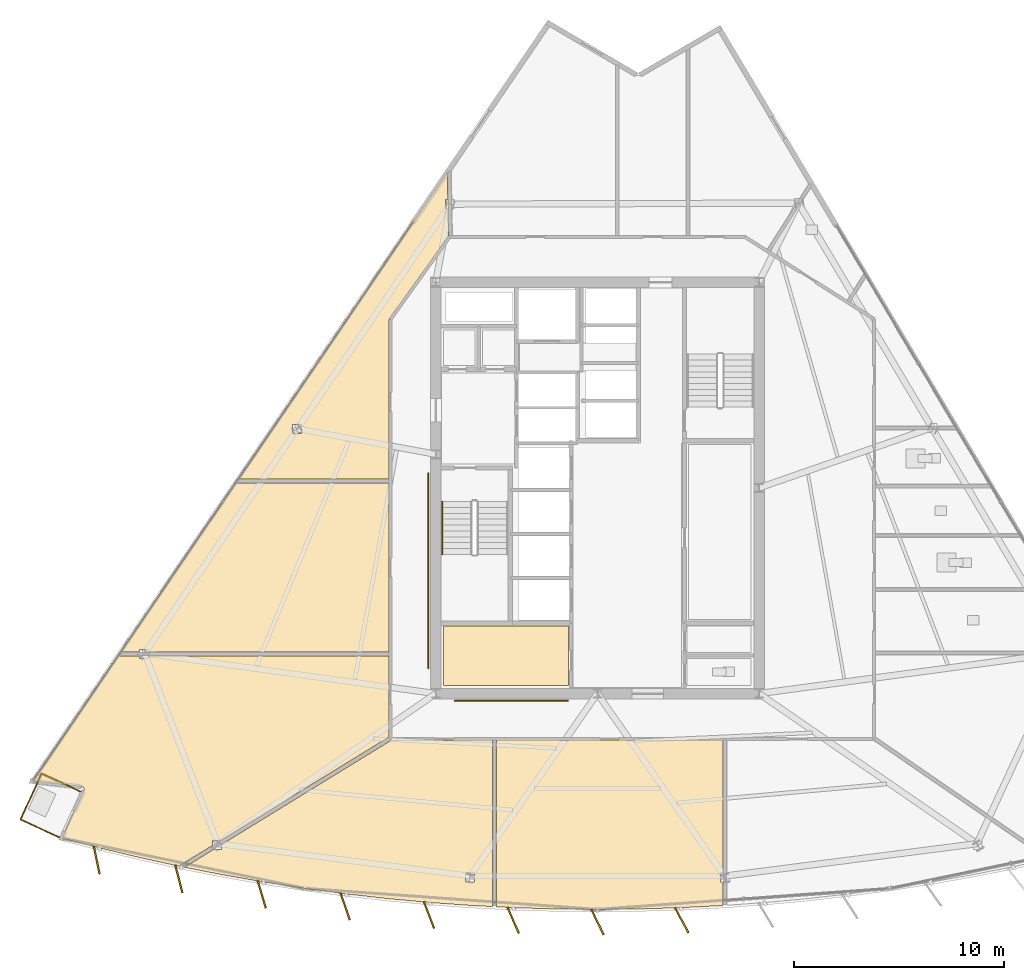
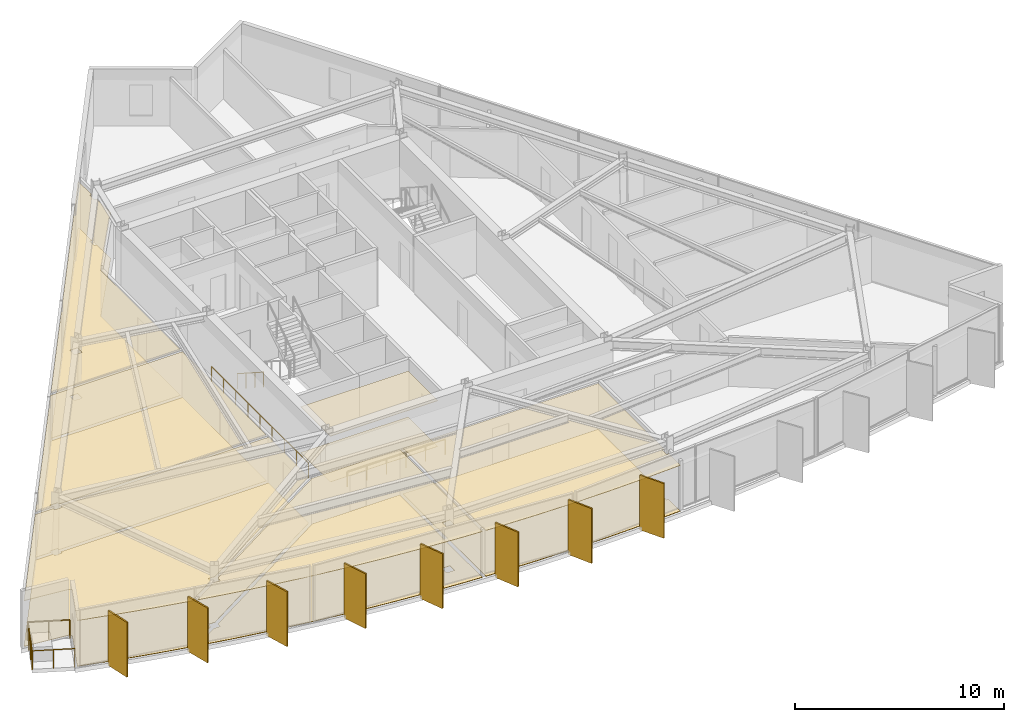
# One storey, part 11 of 15: 12 coverings, 8 shading devices, 6 railings.
"""IFC4 building model written with IfcOpenShell, lengths in metres."""

from ifc_helpers import new_model, si_unit, direction, frame, origin, origin_2d, place, context, subcontext, project, spatial, polyline, rectangle, circle, outline, extrude, material, layer, layer_set, type_object, element, save


model = new_model("IFC4")

# Units and contexts
model_context = context("Model", 3, precision=1e-05, world=origin(), true_north=direction((0.0, 1.0)))
body_context = subcontext(model_context, "Body", "Model", "MODEL_VIEW")
ifc_project = project(units=[si_unit("LENGTHUNIT", "METRE"), si_unit("AREAUNIT", "SQUARE_METRE"), si_unit("VOLUMEUNIT", "CUBIC_METRE"), si_unit("PLANEANGLEUNIT", "RADIAN"), si_unit("MASSUNIT", "GRAM", prefix="KILO")], contexts=[model_context])

# Site, building, storey
site_placement = place(None, origin())
site = spatial("IfcSite", under=ifc_project, at=site_placement, CompositionType="ELEMENT")
building_placement = place(site_placement, origin())
building = spatial("IfcBuilding", under=site, at=building_placement, Name="Savorim Split Tower", CompositionType="ELEMENT")
storey_placement = place(building_placement, frame((0.0, 0.0, 138.60009765625)))
storey = spatial("IfcBuildingStorey", under=building, at=storey_placement, Name="L36", CompositionType="ELEMENT", Elevation=138.60009765625)

# Coverings
ifc_material_1 = material(Name="Mineral Fibre Acoustic Ceiling")
ifc_layer_1 = layer(ifc_material_1, 0.02490234375)
ifc_layer_set_1 = layer_set([ifc_layer_1], Name="COV-CEIL-25")
covering_type_1 = type_object("IfcCoveringType", Name="COV-CEIL-25", PredefinedType="CEILING", material=ifc_layer_set_1)
covering_1_placement = place(storey_placement, frame((0.0, 0.0, 2.669921875)))
element("IfcCovering", 1, at=covering_1_placement, inside=storey, type_object=covering_type_1, Name="L36 Housekeeping Store Acoustic Ceiling", PredefinedType="CEILING", context=body_context, shape_type="SweptSolid", body=[
    extrude(outline(polyline([(-7.320068359375, -6.179931640625), (-7.320068359375, -9.02001953125), (-1.3798828125, -9.02001953125), (-1.3798828125, -6.179931640625), (-7.320068359375, -6.179931640625)])), origin(), (0.0, 0.0, 1.0), 0.02490234375),
])
covering_2_placement = place(storey_placement, frame((0.0, 0.0, 2.669921875)))
element("IfcCovering", 2, at=covering_2_placement, inside=storey, type_object=covering_type_1, Name="L36 Co-Working Commons Acoustic Ceiling", PredefinedType="CEILING", context=body_context, shape_type="SweptSolid", body=[
    extrude(outline(polyline([(-21.4013671875, -7.30712890625), (-21.4013671875, -7.425537109375), (-9.919921875, -7.425537109375), (-9.919921875, 0.626220703125), (-17.22314453125, 0.626220703125), (-22.70068359375, -7.425537109375), (-21.8251953125, -7.425537109375), (-21.8251953125, -7.30712890625), (-21.4013671875, -7.30712890625)])), origin(), (0.0, 0.0, 1.0), 0.02490234375),
])
covering_3_placement = place(storey_placement, frame((0.0, 0.0, 2.669921875)))
element("IfcCovering", 3, at=covering_3_placement, inside=storey, type_object=covering_type_1, Name="L36 Maker Workshop Acoustic Ceiling", PredefinedType="CEILING", context=body_context, shape_type="SweptSolid", body=[
    extrude(outline(polyline([(-24.447265625, -13.9619140625), (-24.447998046875, -13.973876953125), (-24.4501953125, -13.985595703125), (-24.45361328125, -13.9970703125), (-24.4580078125, -14.00830078125), (-25.5048828125, -16.28662109375), (-23.711181640625, -16.755615234375), (-21.770263671875, -17.220947265625), (-19.8359375, -17.64306640625), (-19.875244140625, -17.5791015625), (-18.331787109375, -16.630615234375), (-18.331787109375, -16.398193359375), (-17.953857421875, -16.398193359375), (-9.94580078125, -11.476806640625), (-9.919921875, -11.460693359375), (-9.919921875, -7.615478515625), (-21.4013671875, -7.615478515625), (-21.4013671875, -7.734130859375), (-21.8251953125, -7.734130859375), (-21.8251953125, -7.615478515625), (-22.704833984375, -7.615478515625), (-22.7998046875, -7.615478515625), (-22.7998046875, -7.5712890625), (-26.88623046875, -13.578369140625), (-24.5537109375, -13.8388671875), (-24.5419921875, -13.8408203125), (-24.530517578125, -13.84375), (-24.519287109375, -13.847900390625), (-24.508544921875, -13.853271484375), (-24.49853515625, -13.859619140625), (-24.489013671875, -13.866943359375), (-24.48046875, -13.875244140625), (-24.47265625, -13.88427734375), (-24.4658203125, -13.893798828125), (-24.459716796875, -13.904296875), (-24.455078125, -13.915283203125), (-24.451416015625, -13.926513671875), (-24.44873046875, -13.938232421875), (-24.447509765625, -13.9501953125), (-24.447265625, -13.9619140625)])), origin(), (0.0, 0.0, 1.0), 0.02490234375),
])
covering_4_placement = place(storey_placement, frame((0.0, 0.0, 2.669921875)))
element("IfcCovering", 4, at=covering_4_placement, inside=storey, type_object=covering_type_1, Name="L36 Co-Working Commons Acoustic Ceiling", PredefinedType="CEILING", context=body_context, shape_type="SweptSolid", body=[
    extrude(outline(polyline([(-9.962158203125, -19.17138671875), (-7.974853515625, -19.35498046875), (-5.98388671875, -19.497802734375), (-4.99755859375, -19.54833984375), (-4.99755859375, -11.6201171875), (-9.780029296875, -11.6201171875), (-9.793701171875, -11.619384765625), (-9.807373046875, -11.6171875), (-9.810546875, -11.616455078125), (-17.90771484375, -16.593017578125), (-17.90771484375, -16.8251953125), (-18.28564453125, -16.8251953125), (-19.669921875, -17.676025390625), (-17.86181640625, -18.031982421875), (-15.89599609375, -18.37744140625), (-13.923828125, -18.6826171875), (-11.945556640625, -18.947265625), (-9.962158203125, -19.17138671875)]), holes=[polyline([(-6.284912109375, -18.3720703125), (-5.86083984375, -18.3720703125), (-5.86083984375, -17.945068359375), (-6.284912109375, -17.945068359375), (-6.284912109375, -18.3720703125)])]), origin(), (0.0, 0.0, 1.0), 0.02490234375),
])
covering_5_placement = place(storey_placement, frame((0.0, 0.0, 2.669921875)))
element("IfcCovering", 5, at=covering_5_placement, inside=storey, type_object=covering_type_1, Name="L36 Maker Workshop Acoustic Ceiling", PredefinedType="CEILING", context=body_context, shape_type="SweptSolid", body=[
    extrude(outline(polyline([(-1.99560546875, -19.6611328125), (0.0, -19.681640625), (1.99560546875, -19.6611328125), (3.99072265625, -19.599853515625), (5.977783203125, -19.498046875), (5.977783203125, -18.3720703125), (5.86083984375, -18.3720703125), (5.86083984375, -17.945068359375), (5.977783203125, -17.945068359375), (5.977783203125, -11.6201171875), (-4.8076171875, -11.6201171875), (-4.8076171875, -19.55810546875), (-3.99072265625, -19.599853515625), (-1.99560546875, -19.6611328125)])), origin(), (0.0, 0.0, 1.0), 0.02490234375),
])
covering_6_placement = place(storey_placement, frame((0.0, 0.0, 2.669921875)))
element("IfcCovering", 6, at=covering_6_placement, inside=storey, type_object=covering_type_1, Name="L36 Maker Workshop Acoustic Ceiling", PredefinedType="CEILING", context=body_context, shape_type="SweptSolid", body=[
    extrude(outline(polyline([(-7.105712890625, 12.3720703125), (-7.096435546875, 12.381591796875), (-7.094482421875, 12.38330078125), (-7.1171875, 13.708984375), (-7.238037109375, 13.708984375), (-7.238037109375, 14.135986328125), (-7.124755859375, 14.135986328125), (-7.147216796875, 15.437744140625), (-17.093994140625, 0.816162109375), (-9.919921875, 0.816162109375), (-9.919921875, 8.39990234375), (-9.919189453125, 8.41455078125), (-9.9169921875, 8.4287109375), (-9.913330078125, 8.44287109375), (-9.908203125, 8.456298828125), (-9.901611328125, 8.46923828125), (-9.893798828125, 8.4814453125), (-7.11376953125, 12.361572265625), (-7.105712890625, 12.3720703125)]), holes=[polyline([(-14.531494140625, 3.414306640625), (-14.531494140625, 2.9873046875), (-14.107666015625, 2.9873046875), (-14.107666015625, 3.414306640625), (-14.531494140625, 3.414306640625)])]), origin(), (0.0, 0.0, 1.0), 0.02490234375),
])
ifc_material_2 = material(Name="Porcelain Stoneware Flooring", Category="masonry")
ifc_layer_2 = layer(ifc_material_2, 0.02001953125)
ifc_layer_set_2 = layer_set([ifc_layer_2], Name="COV-FLOR-20")
covering_type_2 = type_object("IfcCoveringType", Name="COV-FLOR-20", PredefinedType="FLOORING", material=ifc_layer_set_2)
covering_7_placement = place(storey_placement, origin())
element("IfcCovering", 7, at=covering_7_placement, inside=storey, type_object=covering_type_2, Name="L36 Housekeeping Store Porcelain Flooring", PredefinedType="FLOORING", context=body_context, shape_type="SweptSolid", body=[
    extrude(outline(polyline([(-7.320068359375, -6.179931640625), (-7.320068359375, -9.02001953125), (-1.3798828125, -9.02001953125), (-1.3798828125, -6.179931640625), (-7.320068359375, -6.179931640625)])), origin(), (0.0, 0.0, 1.0), 0.02001953125),
])
covering_8_placement = place(storey_placement, origin())
element("IfcCovering", 8, at=covering_8_placement, inside=storey, type_object=covering_type_2, Name="L36 Co-Working Commons Porcelain Flooring", PredefinedType="FLOORING", context=body_context, shape_type="SweptSolid", body=[
    extrude(outline(polyline([(-21.4013671875, -7.30712890625), (-21.4013671875, -7.425537109375), (-9.919921875, -7.425537109375), (-9.919921875, 0.626220703125), (-17.22314453125, 0.626220703125), (-22.70068359375, -7.425537109375), (-21.8251953125, -7.425537109375), (-21.8251953125, -7.30712890625), (-21.4013671875, -7.30712890625)])), origin(), (0.0, 0.0, 1.0), 0.02001953125),
])
covering_9_placement = place(storey_placement, origin())
element("IfcCovering", 9, at=covering_9_placement, inside=storey, type_object=covering_type_2, Name="L36 Maker Workshop Porcelain Flooring", PredefinedType="FLOORING", context=body_context, shape_type="SweptSolid", body=[
    extrude(outline(polyline([(-24.447265625, -13.9619140625), (-24.447998046875, -13.973876953125), (-24.4501953125, -13.985595703125), (-24.45361328125, -13.9970703125), (-24.4580078125, -14.00830078125), (-25.5048828125, -16.28662109375), (-23.711181640625, -16.755615234375), (-21.770263671875, -17.220947265625), (-19.8359375, -17.64306640625), (-19.875244140625, -17.5791015625), (-18.331787109375, -16.630615234375), (-18.331787109375, -16.398193359375), (-17.953857421875, -16.398193359375), (-9.94580078125, -11.476806640625), (-9.919921875, -11.460693359375), (-9.919921875, -7.615478515625), (-21.4013671875, -7.615478515625), (-21.4013671875, -7.734130859375), (-21.8251953125, -7.734130859375), (-21.8251953125, -7.615478515625), (-22.704833984375, -7.615478515625), (-22.7998046875, -7.615478515625), (-22.7998046875, -7.5712890625), (-26.88623046875, -13.578369140625), (-24.5537109375, -13.8388671875), (-24.5419921875, -13.8408203125), (-24.530517578125, -13.84375), (-24.519287109375, -13.847900390625), (-24.508544921875, -13.853271484375), (-24.49853515625, -13.859619140625), (-24.489013671875, -13.866943359375), (-24.48046875, -13.875244140625), (-24.47265625, -13.88427734375), (-24.4658203125, -13.893798828125), (-24.459716796875, -13.904296875), (-24.455078125, -13.915283203125), (-24.451416015625, -13.926513671875), (-24.44873046875, -13.938232421875), (-24.447509765625, -13.9501953125), (-24.447265625, -13.9619140625)])), origin(), (0.0, 0.0, 1.0), 0.02001953125),
])
covering_10_placement = place(storey_placement, origin())
element("IfcCovering", 10, at=covering_10_placement, inside=storey, type_object=covering_type_2, Name="L36 Co-Working Commons Porcelain Flooring", PredefinedType="FLOORING", context=body_context, shape_type="SweptSolid", body=[
    extrude(outline(polyline([(-9.962158203125, -19.17138671875), (-7.974853515625, -19.35498046875), (-5.98388671875, -19.497802734375), (-4.99755859375, -19.54833984375), (-4.99755859375, -11.6201171875), (-9.780029296875, -11.6201171875), (-9.793701171875, -11.619384765625), (-9.807373046875, -11.6171875), (-9.810546875, -11.616455078125), (-17.90771484375, -16.593017578125), (-17.90771484375, -16.8251953125), (-18.28564453125, -16.8251953125), (-19.669921875, -17.676025390625), (-17.86181640625, -18.031982421875), (-15.89599609375, -18.37744140625), (-13.923828125, -18.6826171875), (-11.945556640625, -18.947265625), (-9.962158203125, -19.17138671875)]), holes=[polyline([(-6.284912109375, -18.3720703125), (-5.86083984375, -18.3720703125), (-5.86083984375, -17.945068359375), (-6.284912109375, -17.945068359375), (-6.284912109375, -18.3720703125)])]), origin(), (0.0, 0.0, 1.0), 0.02001953125),
])
covering_11_placement = place(storey_placement, origin())
element("IfcCovering", 11, at=covering_11_placement, inside=storey, type_object=covering_type_2, Name="L36 Maker Workshop Porcelain Flooring", PredefinedType="FLOORING", context=body_context, shape_type="SweptSolid", body=[
    extrude(outline(polyline([(-1.99560546875, -19.6611328125), (0.0, -19.681640625), (1.99560546875, -19.6611328125), (3.99072265625, -19.599853515625), (5.977783203125, -19.498046875), (5.977783203125, -18.3720703125), (5.86083984375, -18.3720703125), (5.86083984375, -17.945068359375), (5.977783203125, -17.945068359375), (5.977783203125, -11.6201171875), (-4.8076171875, -11.6201171875), (-4.8076171875, -19.55810546875), (-3.99072265625, -19.599853515625), (-1.99560546875, -19.6611328125)])), origin(), (0.0, 0.0, 1.0), 0.02001953125),
])
covering_12_placement = place(storey_placement, origin())
element("IfcCovering", 12, at=covering_12_placement, inside=storey, type_object=covering_type_2, Name="L36 Maker Workshop Porcelain Flooring", PredefinedType="FLOORING", context=body_context, shape_type="SweptSolid", body=[
    extrude(outline(polyline([(-7.105712890625, 12.3720703125), (-7.096435546875, 12.381591796875), (-7.094482421875, 12.38330078125), (-7.1171875, 13.708984375), (-7.238037109375, 13.708984375), (-7.238037109375, 14.135986328125), (-7.124755859375, 14.135986328125), (-7.147216796875, 15.437744140625), (-17.093994140625, 0.816162109375), (-9.919921875, 0.816162109375), (-9.919921875, 8.39990234375), (-9.919189453125, 8.41455078125), (-9.9169921875, 8.4287109375), (-9.913330078125, 8.44287109375), (-9.908203125, 8.456298828125), (-9.901611328125, 8.46923828125), (-9.893798828125, 8.4814453125), (-7.11376953125, 12.361572265625), (-7.105712890625, 12.3720703125)]), holes=[polyline([(-14.531494140625, 3.414306640625), (-14.531494140625, 2.9873046875), (-14.107666015625, 2.9873046875), (-14.107666015625, 3.414306640625), (-14.531494140625, 3.414306640625)])]), origin(), (0.0, 0.0, 1.0), 0.02001953125),
])

# Railings
ifc_material_3 = material(Name="Galvanised Painted Steel Balustrade", Category="steel")
railing_type_1 = type_object("IfcRailingType", Name="RLG-BAL-1100", PredefinedType="BALUSTRADE", material=ifc_material_3)
railing_1_placement = place(storey_placement, frame((-25.62353515625, -16.25732421875, 0.0)))
element("IfcRailing", 13, at=railing_1_placement, inside=storey, type_object=railing_type_1, Name="L36 Tree Balcony Guardrail SW-1", PredefinedType="BALUSTRADE", context=body_context, shape_type="SweptSolid", body=[
    extrude(circle(Radius=0.02392578125, at=origin_2d()), frame((0.0, 0.0, 1.076171875), z_axis=(-0.908707369925, 0.417433726289, 0.0), x_axis=(-0.417433726289, -0.908707369925, 0.0)), (0.0, 0.0, 1.0), 2.050048828125),
    extrude(circle(Radius=0.02099609375, at=origin_2d()), origin(), (0.0, 0.0, 1.0), 1.052001953125),
    extrude(circle(Radius=0.02099609375, at=origin_2d()), frame((-0.931396484375, 0.427734375, 0.0)), (0.0, 0.0, 1.0), 1.052001953125),
    extrude(circle(Radius=0.02099609375, at=origin_2d()), frame((-1.86279296875, 0.855712890625, 0.0)), (0.0, 0.0, 1.0), 1.052001953125),
])
railing_2_placement = place(storey_placement, frame((-27.486328125, -15.401611328125, 0.0)))
element("IfcRailing", 14, at=railing_2_placement, inside=storey, type_object=railing_type_1, Name="L36 Tree Balcony Guardrail SW-2", PredefinedType="BALUSTRADE", context=body_context, shape_type="SweptSolid", body=[
    extrude(circle(Radius=0.02392578125, at=origin_2d()), frame((0.0, 0.0, 1.076171875), z_axis=(0.417477569656, 0.908687228277, 0.0), x_axis=(-0.908687228277, 0.417477569656, 0.0)), (0.0, 0.0, 1.0), 2.41064453125),
    extrude(circle(Radius=0.02099609375, at=origin_2d()), origin(), (0.0, 0.0, 1.0), 1.052001953125),
    extrude(circle(Radius=0.02099609375, at=origin_2d()), frame((0.33544921875, 0.730224609375, 0.0)), (0.0, 0.0, 1.0), 1.052001953125),
    extrude(circle(Radius=0.02099609375, at=origin_2d()), frame((0.6708984375, 1.460205078125, 0.0)), (0.0, 0.0, 1.0), 1.052001953125),
    extrude(circle(Radius=0.02099609375, at=origin_2d()), frame((1.00634765625, 2.1904296875, 0.0)), (0.0, 0.0, 1.0), 1.052001953125),
])
railing_3_placement = place(storey_placement, frame((-26.47998046875, -13.211181640625, 0.0)))
element("IfcRailing", 15, at=railing_3_placement, inside=storey, type_object=railing_type_1, Name="L36 Tree Balcony Guardrail SW-3", PredefinedType="BALUSTRADE", context=body_context, shape_type="SweptSolid", body=[
    extrude(circle(Radius=0.02392578125, at=origin_2d()), frame((0.0, 0.0, 1.076171875), z_axis=(0.908662190505, -0.417532062898, 0.0), x_axis=(0.417532062898, 0.908662190505, 0.0)), (0.0, 0.0, 1.0), 2.050048828125),
    extrude(circle(Radius=0.02099609375, at=origin_2d()), origin(), (0.0, 0.0, 1.0), 1.052001953125),
    extrude(circle(Radius=0.02099609375, at=origin_2d()), frame((0.931396484375, -0.427978515625, 0.0)), (0.0, 0.0, 1.0), 1.052001953125),
    extrude(circle(Radius=0.02099609375, at=origin_2d()), frame((1.86279296875, -0.85595703125, 0.0)), (0.0, 0.0, 1.0), 1.052001953125),
])
railing_type_2 = type_object("IfcRailingType", Name="RLG-HR-900", PredefinedType="HANDRAIL", material=ifc_material_3)
railing_4_placement = place(storey_placement, frame((-7.39990234375, -0.25, 0.179931640625)))
element("IfcRailing", 16, at=railing_4_placement, inside=storey, type_object=railing_type_2, Name="L36 ST-1 stair handrail 1", PredefinedType="HANDRAIL", context=body_context, shape_type="SweptSolid", body=[
    extrude(circle(Radius=0.02392578125, at=origin_2d()), frame((0.0, 0.0, 0.8759765625), z_axis=(0.0, -0.841199657755, 0.540724639528), x_axis=(1.0, 0.0, 0.0)), (0.0, 0.0, 1.0), 2.995849609375),
    extrude(circle(Radius=0.02099609375, at=origin_2d()), origin(), (0.0, 0.0, 1.0), 0.851806640625),
    extrude(circle(Radius=0.02099609375, at=origin_2d()), frame((0.0, -0.840087890625, 0.5400390625)), (0.0, 0.0, 1.0), 0.851806640625),
    extrude(circle(Radius=0.02099609375, at=origin_2d()), frame((0.0, -1.679931640625, 1.079833984375)), (0.0, 0.0, 1.0), 0.851806640625),
    extrude(circle(Radius=0.02099609375, at=origin_2d()), frame((0.0, -2.52001953125, 1.619873046875)), (0.0, 0.0, 1.0), 0.851806640625),
])
railing_5_placement = place(storey_placement, frame((-6.800048828125, -9.75, 0.0)))
element("IfcRailing", 17, at=railing_5_placement, inside=storey, type_object=railing_type_2, Name="L36 Corridor South Accessible Handrail", PredefinedType="HANDRAIL", context=body_context, shape_type="SweptSolid", body=[
    extrude(circle(Radius=0.02392578125, at=origin_2d()), frame((0.0, 0.0, 0.8759765625), z_axis=(1.0, 0.0, 0.0), x_axis=(0.0, 1.0, 0.0)), (0.0, 0.0, 1.0), 5.400146484375),
    extrude(circle(Radius=0.02099609375, at=origin_2d()), origin(), (0.0, 0.0, 1.0), 0.851806640625),
    extrude(circle(Radius=0.02099609375, at=origin_2d()), frame((1.080078125, 0.0, 0.0)), (0.0, 0.0, 1.0), 0.851806640625),
    extrude(circle(Radius=0.02099609375, at=origin_2d()), frame((2.16015625, 0.0, 0.0)), (0.0, 0.0, 1.0), 0.851806640625),
    extrude(circle(Radius=0.02099609375, at=origin_2d()), frame((3.239990234375, 0.0, 0.0)), (0.0, 0.0, 1.0), 0.851806640625),
    extrude(circle(Radius=0.02099609375, at=origin_2d()), frame((4.320068359375, 0.0, 0.0)), (0.0, 0.0, 1.0), 0.851806640625),
    extrude(circle(Radius=0.02099609375, at=origin_2d()), frame((5.400146484375, 0.0, 0.0)), (0.0, 0.0, 1.0), 0.851806640625),
])
railing_6_placement = place(storey_placement, frame((-8.050048828125, -8.199951171875, 0.0)))
element("IfcRailing", 18, at=railing_6_placement, inside=storey, type_object=railing_type_2, Name="L36 Corridor West Accessible Handrail", PredefinedType="HANDRAIL", context=body_context, shape_type="SweptSolid", body=[
    extrude(circle(Radius=0.02392578125, at=origin_2d()), frame((0.0, 0.0, 0.8759765625), z_axis=(0.0, 1.0, 0.0), x_axis=(-1.0, 0.0, 0.0)), (0.0, 0.0, 1.0), 9.300048828125),
    extrude(circle(Radius=0.02099609375, at=origin_2d()), origin(), (0.0, 0.0, 1.0), 0.851806640625),
    extrude(circle(Radius=0.02099609375, at=origin_2d()), frame((0.0, 1.16259765625, 0.0)), (0.0, 0.0, 1.0), 0.851806640625),
    extrude(circle(Radius=0.02099609375, at=origin_2d()), frame((0.0, 2.324951171875, 0.0)), (0.0, 0.0, 1.0), 0.851806640625),
    extrude(circle(Radius=0.02099609375, at=origin_2d()), frame((0.0, 3.487548828125, 0.0)), (0.0, 0.0, 1.0), 0.851806640625),
    extrude(circle(Radius=0.02099609375, at=origin_2d()), frame((0.0, 4.64990234375, 0.0)), (0.0, 0.0, 1.0), 0.851806640625),
    extrude(circle(Radius=0.02099609375, at=origin_2d()), frame((0.0, 5.8125, 0.0)), (0.0, 0.0, 1.0), 0.851806640625),
    extrude(circle(Radius=0.02099609375, at=origin_2d()), frame((0.0, 6.97509765625, 0.0)), (0.0, 0.0, 1.0), 0.851806640625),
    extrude(circle(Radius=0.02099609375, at=origin_2d()), frame((0.0, 8.137451171875, 0.0)), (0.0, 0.0, 1.0), 0.851806640625),
    extrude(circle(Radius=0.02099609375, at=origin_2d()), frame((0.0, 9.300048828125, 0.0)), (0.0, 0.0, 1.0), 0.851806640625),
])

# Shading devices
ifc_material_4 = material(Name="Terracotta Ceramic-Coated Aluminium Fin", Category="masonry")
shading_device_type = type_object("IfcShadingDeviceType", Name="SHD-FIN-1360", PredefinedType="USERDEFINED", material=ifc_material_4)
for number, where, z_axis, x_axis, name in (
    (19, (-23.85595703125, -17.333740234375, -0.2001953125), (0.0, 0.0, 1.0), (0.206721626106, -0.978399800337, 0.0), "L36 Sawtooth Shading Fin 01"),
    (20, (-19.94140625, -18.22998046875, -0.2001953125), (0.0, 0.0, 1.0), (0.246581250663, -0.969122121727, 0.0), "L36 Sawtooth Shading Fin 02"),
    (21, (-15.993408203125, -18.965576171875, -0.2001953125), (0.0, 0.0, 1.0), (0.286026212504, -0.958221793616, 0.0), "L36 Sawtooth Shading Fin 03"),
    (22, (-12.0185546875, -19.538818359375, -0.2001953125), (0.0, 0.0, 1.0), (0.324993810493, -0.945716143005, 0.0), "L36 Sawtooth Shading Fin 04"),
    (23, (-8.0234375, -19.948974609375, -0.2001953125), (0.0, 0.0, 1.0), (0.363415461732, -0.931627179817, 0.0), "L36 Sawtooth Shading Fin 05"),
    (24, (-4.01513671875, -20.1953125, -0.2001953125), (0.0, 0.0, 1.0), (0.401230091723, -0.915977299662, 0.0), "L36 Sawtooth Shading Fin 06"),
    (25, (0.0, -20.277587890625, -0.2001953125), (0.0, 0.0, 1.0), (0.438371146789, -0.898794046299, 0.0), "L36 Sawtooth Shading Fin 07"),
    (26, (4.01513671875, -20.1953125, -0.2001953125), (0.0, 0.0, 1.0), (0.474778051978, -0.880105562623, 0.0), "L36 Sawtooth Shading Fin 08"),
):
    element("IfcShadingDevice", number, at=place(storey_placement, frame(where, z_axis=z_axis, x_axis=x_axis)), inside=storey, type_object=shading_device_type, Name=name, ObjectType="FIN", PredefinedType="USERDEFINED", context=body_context, shape_type="SweptSolid", body=[
        extrude(rectangle(XDim=1.360107421875, YDim=0.080078125, at=origin_2d()), origin(), (0.0, 0.0, 1.0), 3.199951171875),
    ])

save(model, "model.ifc")
